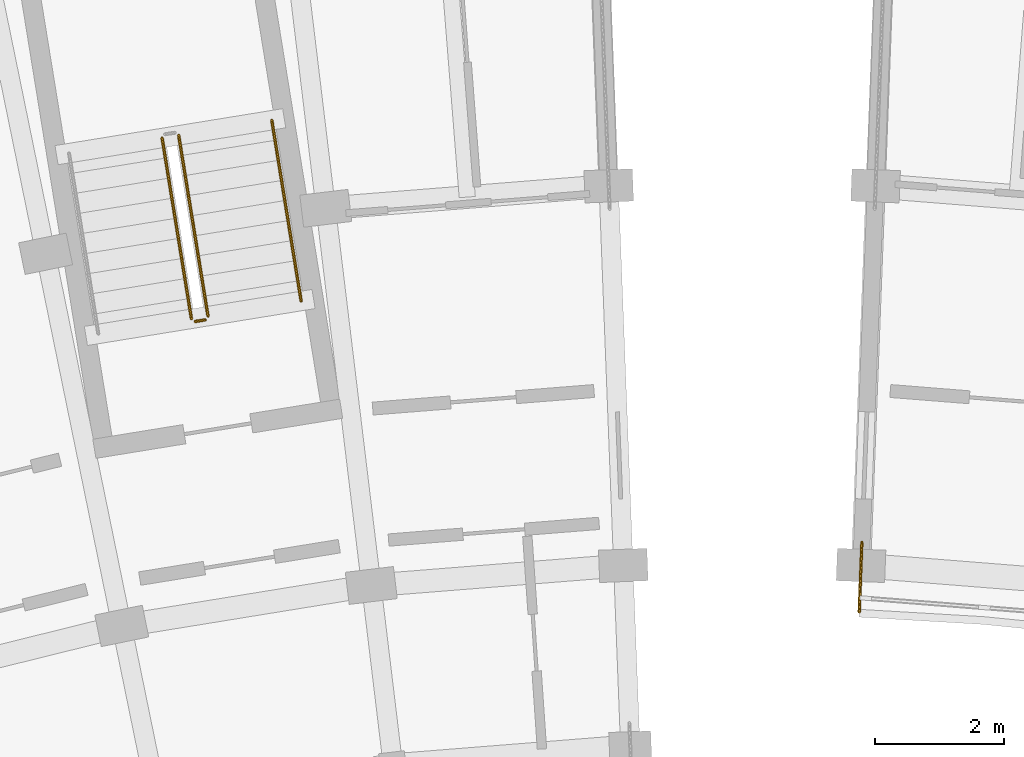
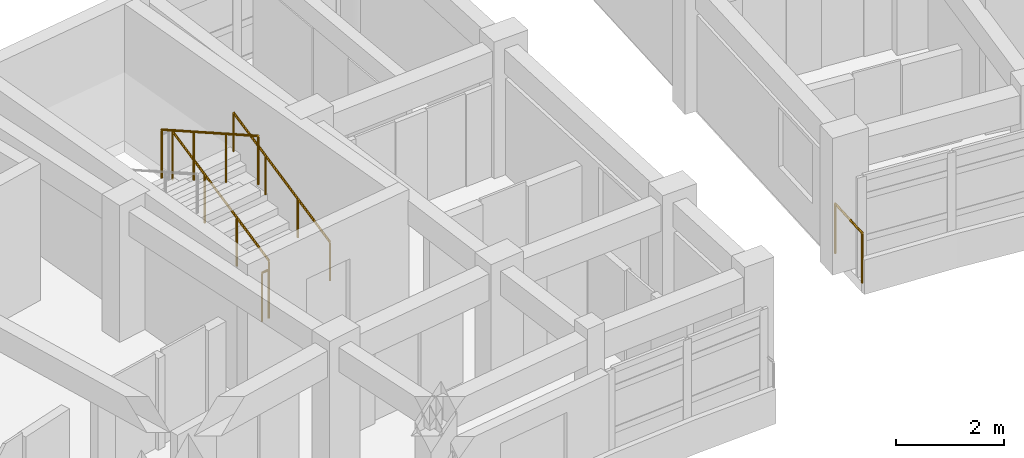
# One storey, part 35 of 40: 5 railings.
"""IFC4 building model written with IfcOpenShell, lengths in metres."""

from ifc_helpers import new_model, si_unit, direction, frame, origin, origin_2d, place, context, subcontext, project, spatial, circle, extrude, material, type_object, element, save


model = new_model("IFC4")

# Units and contexts
model_context = context("Model", 3, precision=1e-05, world=origin(), true_north=direction((0.0, 1.0)))
body_context = subcontext(model_context, "Body", "Model", "MODEL_VIEW")
ifc_project = project(units=[si_unit("LENGTHUNIT", "METRE"), si_unit("AREAUNIT", "SQUARE_METRE"), si_unit("VOLUMEUNIT", "CUBIC_METRE"), si_unit("PLANEANGLEUNIT", "RADIAN"), si_unit("MASSUNIT", "GRAM", prefix="KILO")], contexts=[model_context])

# Site, building, storey
site_placement = place(None, origin())
site = spatial("IfcSite", under=ifc_project, at=site_placement, CompositionType="ELEMENT")
building_placement = place(site_placement, origin())
building = spatial("IfcBuilding", under=site, at=building_placement, Name="Zimvara Arc Housing Community", CompositionType="ELEMENT")
storey_placement = place(building_placement, frame((0.0, 0.0, 32.89990234375)))
storey = spatial("IfcBuildingStorey", under=building, at=storey_placement, Name="L10", CompositionType="ELEMENT", Elevation=32.89990234375)

# Railings
ifc_material_1 = material(Name="Anodised Aluminium AW-6063", Category="aluminium")
railing_type_1 = type_object("IfcRailingType", Name="RLG-BAL-1120", PredefinedType="BALUSTRADE", material=ifc_material_1)
railing_1_placement = place(storey_placement, frame((36.732421875, 96.243896484375, 0.155029296875)))
element("IfcRailing", 1, at=railing_1_placement, inside=storey, type_object=railing_type_1, Name="L10 ST-A2 stair guard 1", PredefinedType="BALUSTRADE", context=body_context, shape_type="SweptSolid", body=[
    extrude(circle(Radius=0.02392578125, at=origin_2d()), frame((0.0, 0.0, 1.09619140625), z_axis=(-0.143721784145, 0.885666177347, 0.441519502474), x_axis=(-0.987087819028, -0.160180016, 0.0)), (0.0, 0.0, 1.0), 3.15966796875),
    extrude(circle(Radius=0.02099609375, at=origin_2d()), origin(), (0.0, 0.0, 1.0), 1.072021484375),
    extrude(circle(Radius=0.02099609375, at=origin_2d()), frame((-0.1513671875, 0.932861328125, 0.465087890625)), (0.0, 0.0, 1.0), 1.072021484375),
    extrude(circle(Radius=0.02099609375, at=origin_2d()), frame((-0.302734375, 1.865478515625, 0.929931640625)), (0.0, 0.0, 1.0), 1.072021484375),
    extrude(circle(Radius=0.02099609375, at=origin_2d()), frame((-0.4541015625, 2.79833984375, 1.39501953125)), (0.0, 0.0, 1.0), 1.072021484375),
])
railing_2_placement = place(storey_placement, frame((36.021728515625, 99.00048828125, 1.705078125)))
element("IfcRailing", 2, at=railing_2_placement, inside=storey, type_object=railing_type_1, Name="L10 ST-A2 stair guard 3", PredefinedType="BALUSTRADE", context=body_context, shape_type="SweptSolid", body=[
    extrude(circle(Radius=0.02392578125, at=origin_2d()), frame((0.0, 0.0, 1.09619140625), z_axis=(0.143721784145, -0.885666177347, 0.441519502474), x_axis=(0.987087819028, 0.160180016, 0.0)), (0.0, 0.0, 1.0), 3.15966796875),
    extrude(circle(Radius=0.02099609375, at=origin_2d()), origin(), (0.0, 0.0, 1.0), 1.072021484375),
    extrude(circle(Radius=0.02099609375, at=origin_2d()), frame((0.1513671875, -0.932861328125, 0.465087890625)), (0.0, 0.0, 1.0), 1.072021484375),
    extrude(circle(Radius=0.02099609375, at=origin_2d()), frame((0.302734375, -1.865478515625, 0.929931640625)), (0.0, 0.0, 1.0), 1.072021484375),
    extrude(circle(Radius=0.02099609375, at=origin_2d()), frame((0.4541015625, -2.79833984375, 1.39501953125)), (0.0, 0.0, 1.0), 1.072021484375),
])
railing_3_placement = place(storey_placement, frame((36.691162109375, 96.1865234375, 0.0)))
element("IfcRailing", 3, at=railing_3_placement, inside=storey, type_object=railing_type_1, Name="L10 ST-A2 stair guard 4", PredefinedType="BALUSTRADE", context=body_context, shape_type="SweptSolid", body=[
    extrude(circle(Radius=0.02392578125, at=origin_2d()), frame((0.0, 0.0, 1.09619140625), z_axis=(-0.987085924886, -0.160191687964, 0.0), x_axis=(0.160191687964, -0.987085924886, 0.0)), (0.0, 0.0, 1.0), 0.159912109375),
    extrude(circle(Radius=0.02099609375, at=origin_2d()), origin(), (0.0, 0.0, 1.0), 1.072021484375),
    extrude(circle(Radius=0.02099609375, at=origin_2d()), frame((-0.157958984375, -0.025634765625, 0.0)), (0.0, 0.0, 1.0), 1.072021484375),
])
ifc_material_2 = material(Name="Anodised Aluminium AW-6063", Category="aluminium")
railing_type_2 = type_object("IfcRailingType", Name="RLG-BAL-1150", PredefinedType="BALUSTRADE", material=ifc_material_2)
railing_4_placement = place(storey_placement, frame((46.81201171875, 91.665283203125, 0.0)))
element("IfcRailing", 4, at=railing_4_placement, inside=storey, type_object=railing_type_2, Name="rlg:blkB:L10:gable_in:g0", PredefinedType="BALUSTRADE", context=body_context, shape_type="SweptSolid", body=[
    extrude(circle(Radius=0.02392578125, at=origin_2d()), frame((0.0, 0.0, 1.1259765625), z_axis=(0.038207375916, 0.99926983164, 0.0), x_axis=(-0.99926983164, 0.038207375916, 0.0)), (0.0, 0.0, 1.0), 1.079833984375),
    extrude(circle(Radius=0.02099609375, at=origin_2d()), origin(), (0.0, 0.0, 1.0), 1.101806640625),
    extrude(circle(Radius=0.02099609375, at=origin_2d()), frame((0.041259765625, 1.0791015625, 0.0)), (0.0, 0.0, 1.0), 1.101806640625),
])
ifc_material_3 = material(Name="Anodised Aluminium AW-6063", Category="aluminium")
railing_type_3 = type_object("IfcRailingType", Name="RLG-HND-900", PredefinedType="HANDRAIL", material=ifc_material_3)
railing_5_placement = place(storey_placement, frame((38.173583984375, 96.477783203125, 0.155029296875)))
element("IfcRailing", 5, at=railing_5_placement, inside=storey, type_object=railing_type_3, Name="L10 ST-A2 stair handrail 1", PredefinedType="HANDRAIL", context=body_context, shape_type="SweptSolid", body=[
    extrude(circle(Radius=0.02392578125, at=origin_2d()), frame((0.0, 0.0, 0.8759765625), z_axis=(-0.143721784145, 0.885666177347, 0.441519502474), x_axis=(-0.987087819028, -0.160180016, 0.0)), (0.0, 0.0, 1.0), 3.15966796875),
    extrude(circle(Radius=0.02099609375, at=origin_2d()), origin(), (0.0, 0.0, 1.0), 0.851806640625),
    extrude(circle(Radius=0.02099609375, at=origin_2d()), frame((-0.1513671875, 0.932861328125, 0.465087890625)), (0.0, 0.0, 1.0), 0.851806640625),
    extrude(circle(Radius=0.02099609375, at=origin_2d()), frame((-0.302734375, 1.865478515625, 0.929931640625)), (0.0, 0.0, 1.0), 0.851806640625),
    extrude(circle(Radius=0.02099609375, at=origin_2d()), frame((-0.4541015625, 2.79833984375, 1.39501953125)), (0.0, 0.0, 1.0), 0.851806640625),
])

save(model, "model.ifc")
